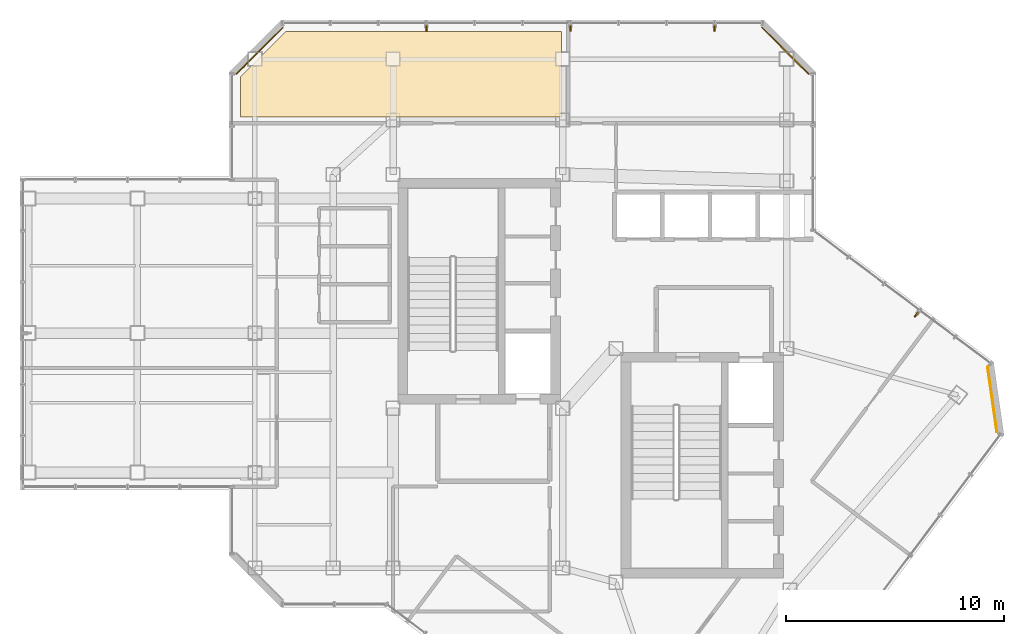
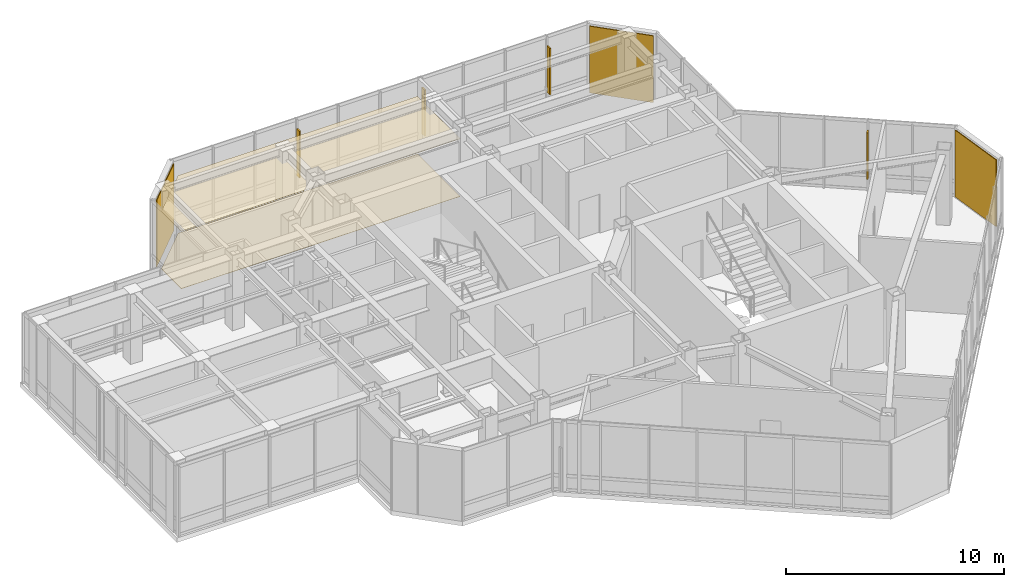
# One storey, part 22 of 22: 5 coverings, 4 shading devices.
"""IFC4 building model written with IfcOpenShell, lengths in metres."""

import ifcopenshell
import ifcopenshell.guid

model = None  # the IFC model being written
_history = None  # IfcOwnerHistory: only IFC2X3 demands one
_inside = {}  # id of a spatial element -> (the spatial element, [elements in it])
_under = {}  # id of a project, library or spatial element -> (it, [spatial elements below it])
_declared = {}  # id of a project -> (the project, [libraries it declares])
_typed = {}  # id of a type object -> (the type object, [elements of that type])
_made_of = {}  # id of a material, layer set ... -> (it, [elements and type objects made of it])


def new_model(schema):
    """Start an empty IFC model of exactly this schema.

    Asked for "IFC4X3", IfcOpenShell would pick the latest addendum, in which some entities
    have other attributes; the version numbers below select the first issue.
    IFC2X3 requires an IfcOwnerHistory on every rooted entity: one is made here for all.
    """
    global model, _history
    if schema == "IFC4X3":
        model = ifcopenshell.file(schema_version=(4, 3, 0, 0))
    else:
        model = ifcopenshell.file(schema=schema)
    _inside.clear()
    _under.clear()
    _declared.clear()
    _typed.clear()
    _made_of.clear()
    _history = None
    if model.schema == "IFC2X3":
        org = make("IfcOrganization", Name="unknown")
        user = make(
            "IfcPersonAndOrganization",
            ThePerson=make("IfcPerson", FamilyName="unknown"),
            TheOrganization=org,
        )
        app = make(
            "IfcApplication",
            ApplicationDeveloper=org,
            Version="unknown",
            ApplicationFullName="unknown",
            ApplicationIdentifier="unknown",
        )
        _history = make(
            "IfcOwnerHistory",
            OwningUser=user,
            OwningApplication=app,
            ChangeAction="ADDED",
            CreationDate=0,
        )
    return model


def make(cls, **values):
    """One entity of the class cls with the attributes given. An attribute that is None is left unset."""
    return model.create_entity(
        cls, **{name: value for name, value in values.items() if value is not None}
    )


def rooted(cls, **values):
    """An entity with a GlobalId (a new one), such as an element, a storey or a relation."""
    return make(cls, GlobalId=ifcopenshell.guid.new(), OwnerHistory=_history, **values)


def si_unit(unit_type, name, prefix=None):
    """IfcSIUnit, for example si_unit("LENGTHUNIT", "METRE", prefix="MILLI")."""
    return make("IfcSIUnit", UnitType=unit_type, Prefix=prefix, Name=name)


def assignment(units):
    """IfcUnitAssignment: the units of a project."""
    return None if units is None else make("IfcUnitAssignment", Units=units)


def point(xyz):
    """IfcCartesianPoint."""
    return None if xyz is None else make("IfcCartesianPoint", Coordinates=xyz)


def direction(xyz):
    """IfcDirection."""
    return None if xyz is None else make("IfcDirection", DirectionRatios=xyz)


def frame(location, z_axis=None, x_axis=None):
    """IfcAxis2Placement3D, a coordinate frame: its origin and axes. An axis left out is left unset."""
    return make(
        "IfcAxis2Placement3D",
        Location=point(location),
        Axis=direction(z_axis),
        RefDirection=direction(x_axis),
    )


def frame_2d(location, x_axis=None):
    """IfcAxis2Placement2D, a coordinate frame in the plane: its origin and x axis."""
    return make(
        "IfcAxis2Placement2D", Location=point(location), RefDirection=direction(x_axis)
    )


def origin():
    """The frame at (0, 0, 0) with its axes left unset."""
    return frame((0.0, 0.0, 0.0))


def origin_2d():
    """The frame at (0, 0) in the plane with its x axis left unset."""
    return frame_2d((0.0, 0.0))


def place(relative_to, where):
    """IfcLocalPlacement: puts the frame where relative to a parent placement (None: the world)."""
    return make(
        "IfcLocalPlacement", PlacementRelTo=relative_to, RelativePlacement=where
    )


def context(
    kind, dimensions, precision=None, world=None, true_north=None, identifier=None
):
    """IfcGeometricRepresentationContext, for example the 3D "Model" context."""
    return make(
        "IfcGeometricRepresentationContext",
        ContextIdentifier=identifier,
        ContextType=kind,
        CoordinateSpaceDimension=dimensions,
        Precision=precision,
        WorldCoordinateSystem=world,
        TrueNorth=true_north,
    )


def subcontext(parent, identifier, kind, view, scale=None):
    """IfcGeometricRepresentationSubContext, for example "Body" below "Model"."""
    return make(
        "IfcGeometricRepresentationSubContext",
        ContextIdentifier=identifier,
        ContextType=kind,
        ParentContext=parent,
        TargetScale=scale,
        TargetView=view,
    )


def project(units=None, contexts=None):
    """IfcProject with its units and contexts."""
    return rooted(
        "IfcProject",
        Name="project",
        RepresentationContexts=contexts,
        UnitsInContext=assignment(units),
    )


def spatial(cls, under=None, at=None, **own):
    """A site, building, storey or space (cls), placed at a placement, below another one or the project."""
    s = rooted(cls, ObjectPlacement=at, **own)
    if under is not None:
        _under.setdefault(under.id(), (under, []))[1].append(s)
    return s


def polyline(points):
    """IfcPolyline through the points."""
    return make("IfcPolyline", Points=[point(p) for p in points])


def profile(cls, at=None, kind="AREA", **sizes):
    """A parametric profile (cls). Its sizes go by their IFC names, for example OverallWidth=200.0."""
    return make(cls, ProfileType=kind, Position=at, **sizes)


def rectangle(**sizes):
    """IfcRectangleProfileDef."""
    return profile("IfcRectangleProfileDef", **sizes)


def outline(outer, holes=None, kind="AREA"):
    """IfcArbitraryClosedProfileDef: a profile drawn as a closed curve; with holes, ...WithVoids."""
    if holes is None:
        return make("IfcArbitraryClosedProfileDef", ProfileType=kind, OuterCurve=outer)
    return make(
        "IfcArbitraryProfileDefWithVoids",
        ProfileType=kind,
        OuterCurve=outer,
        InnerCurves=holes,
    )


def extrude(swept, where, along, depth):
    """IfcExtrudedAreaSolid: the profile swept, set in the frame where, extruded along a direction by depth."""
    return make(
        "IfcExtrudedAreaSolid",
        SweptArea=swept,
        Position=where,
        ExtrudedDirection=direction(along),
        Depth=depth,
    )


def shape(context_of_items, identifier, shape_type, items):
    """IfcShapeRepresentation: the items that make up one representation, for example the "Body"."""
    return make(
        "IfcShapeRepresentation",
        ContextOfItems=context_of_items,
        RepresentationIdentifier=identifier,
        RepresentationType=shape_type,
        Items=items,
    )


def material(Name=None, Category=None):
    """IfcMaterial."""
    return make("IfcMaterial", Name=Name, Category=Category)


def layer(
    of_material, thickness, ventilated=None, Name=None, Category=None, Priority=None
):
    """IfcMaterialLayer: one layer of a wall or slab, of a material (None: an air gap)."""
    return make(
        "IfcMaterialLayer",
        Material=of_material,
        LayerThickness=thickness,
        IsVentilated=ventilated,
        Name=Name,
        Category=Category,
        Priority=Priority,
    )


def layer_set(layers, Name=None):
    """IfcMaterialLayerSet."""
    return make("IfcMaterialLayerSet", MaterialLayers=layers, LayerSetName=Name)


def made_of(thing, what):
    """Note that an element or type object is made of a material, layer set ...; save() writes the relation."""
    if what is not None:
        _made_of.setdefault(what.id(), (what, []))[1].append(thing)
    return thing


def type_object(cls, material=None, **own):
    """A type object (cls), such as IfcWallType, which elements share."""
    return made_of(rooted(cls, **own), material)


def element(
    cls,
    number,
    at=None,
    inside=None,
    cuts=None,
    type_object=None,
    material=None,
    context=None,
    identifier="Body",
    shape_type=None,
    held_by="IfcProductDefinitionShape",
    body=None,
    shapes=None,
    **own,
):
    """One element of the class cls, such as IfcWall. Its Tag is "e" and its number.

    at: its placement. inside: the storey or other place that contains it. cuts: it is an
    opening in that element (IfcRelVoidsElement). A single representation is given by context,
    identifier, shape_type and body (its items); several are given by shapes. held_by: the class
    of the entity that holds the representations. save() writes the other relations.
    """
    e = rooted(cls, Tag="e%d" % number, ObjectPlacement=at, **own)
    if body is not None:
        shapes = [shape(context, identifier, shape_type, body)]
    if shapes is not None:
        e.Representation = make(held_by, Representations=shapes)
    if inside is not None:
        _inside.setdefault(inside.id(), (inside, []))[1].append(e)
    if cuts is not None:
        rooted(
            "IfcRelVoidsElement", RelatingBuildingElement=cuts, RelatedOpeningElement=e
        )
    if type_object is not None:
        _typed.setdefault(type_object.id(), (type_object, []))[1].append(e)
    return made_of(e, material)


def aggregate(whole, parts):
    """IfcRelAggregates: a whole, such as a stair, and the parts it consists of."""
    return rooted("IfcRelAggregates", RelatingObject=whole, RelatedObjects=parts)


def save(model, path):
    """Write the relations noted so far, then the file.

    IfcRelAggregates (storeys below a building ...), IfcRelContainedInSpatialStructure (elements
    in a storey), IfcRelDefinesByType, IfcRelAssociatesMaterial and IfcRelDeclares: one each for
    every whole, place, type object, material and project.
    """
    for whole, parts in _under.values():
        aggregate(whole, parts)
    for where, things in _inside.values():
        rooted(
            "IfcRelContainedInSpatialStructure",
            RelatedElements=things,
            RelatingStructure=where,
        )
    for kind, things in _typed.values():
        rooted("IfcRelDefinesByType", RelatedObjects=things, RelatingType=kind)
    for what, things in _made_of.values():
        rooted("IfcRelAssociatesMaterial", RelatedObjects=things, RelatingMaterial=what)
    for by, libraries in _declared.values():
        rooted("IfcRelDeclares", RelatingContext=by, RelatedDefinitions=libraries)
    model.write(path)


model = new_model("IFC4")

# Units and contexts
model_context = context("Model", 3, precision=1e-05, world=origin(), true_north=direction((0.0, 1.0)))
body_context = subcontext(model_context, "Body", "Model", "MODEL_VIEW")
ifc_project = project(units=[si_unit("LENGTHUNIT", "METRE"), si_unit("AREAUNIT", "SQUARE_METRE"), si_unit("VOLUMEUNIT", "CUBIC_METRE"), si_unit("PLANEANGLEUNIT", "RADIAN"), si_unit("MASSUNIT", "GRAM", prefix="KILO")], contexts=[model_context])

# Site, building, storey
site_placement = place(None, origin())
site = spatial("IfcSite", under=ifc_project, at=site_placement, CompositionType="ELEMENT")
building_placement = place(site_placement, origin())
building = spatial("IfcBuilding", under=site, at=building_placement, Name="Hatsunagi Terrace Concourse", CompositionType="ELEMENT")
storey_placement = place(building_placement, frame((0.0, 0.0, 261.75)))
storey = spatial("IfcBuildingStorey", under=building, at=storey_placement, Name="L69", CompositionType="ELEMENT", Elevation=261.75)

# Coverings
ifc_material_1 = material(Name="Acoustic mineral board", Category="gypsum")
ifc_layer_1 = layer(ifc_material_1, 0.02001953125)
ifc_layer_set_1 = layer_set([ifc_layer_1], Name="AcousticMineralCeiling_20")
covering_type_1 = type_object("IfcCoveringType", Name="AcousticMineralCeiling_20", PredefinedType="CEILING", material=ifc_layer_set_1)
covering_1_placement = place(storey_placement, frame((0.0, 0.0, 3.219970703125)))
element("IfcCovering", 1, at=covering_1_placement, inside=storey, type_object=covering_type_1, Name="Suspended Ceiling L69-1", PredefinedType="CEILING", context=body_context, shape_type="SweptSolid", body=[
    extrude(outline(polyline([(18.530029296875, 47.780029296875), (18.530029296875, 45.949951171875), (33.300048828125, 45.949951171875), (33.300048828125, 49.8701171875), (20.6201171875, 49.8701171875), (18.530029296875, 47.780029296875)])), origin(), (0.0, 0.0, 1.0), 0.02001953125),
])
ifc_material_2 = material(Name="Hardwood timber", Category="wood")
ifc_layer_2 = layer(ifc_material_2, 0.014892578125)
ifc_layer_set_2 = layer_set([ifc_layer_2], Name="HardwoodTimberFlooring_15")
covering_type_2 = type_object("IfcCoveringType", Name="HardwoodTimberFlooring_15", PredefinedType="FLOORING", material=ifc_layer_set_2)
covering_2_placement = place(storey_placement, origin())
element("IfcCovering", 2, at=covering_2_placement, inside=storey, type_object=covering_type_2, Name="Finished Flooring L69-1", PredefinedType="FLOORING", context=body_context, shape_type="SweptSolid", body=[
    extrude(outline(polyline([(18.530029296875, 47.780029296875), (18.530029296875, 45.949951171875), (33.300048828125, 45.949951171875), (33.300048828125, 49.8701171875), (20.6201171875, 49.8701171875), (18.530029296875, 47.780029296875)])), origin(), (0.0, 0.0, 1.0), 0.014892578125),
])

# Shading devices
ifc_material_3 = material(Name="Extruded Unglazed Terracotta Baguette", Category="masonry")
shading_device_type = type_object("IfcShadingDeviceType", Name="TerracottaFinScreen_260x70", PredefinedType="USERDEFINED", material=ifc_material_3)
for number, where, z_axis, x_axis, name in (
    (3, (27.0830078125, 50.010009765625, 0.849853515625), (0.0, 0.0, 1.0), (1.0, 0.0, 0.0), "Terracotta Baguette Fin Screen SCR-01"),
    (4, (33.7080078125, 50.010009765625, 0.849853515625), (0.0, 0.0, 1.0), (1.0, 0.0, 0.0), "Terracotta Baguette Fin Screen SCR-01"),
    (5, (40.333984375, 50.010009765625, 0.849853515625), (0.0, 0.0, 1.0), (1.0, 0.0, 0.0), "Terracotta Baguette Fin Screen SCR-01"),
    (6, (49.612060546875, 36.85400390625, 0.849853515625), (0.0, 0.0, 1.0), (0.800023013105, -0.599969314634, 0.0), "Terracotta Baguette Fin Screen SCR-01"),
):
    element("IfcShadingDevice", number, at=place(storey_placement, frame(where, z_axis=z_axis, x_axis=x_axis)), inside=storey, type_object=shading_device_type, Name=name, ObjectType="SUNSHADE", PredefinedType="USERDEFINED", context=body_context, shape_type="SweptSolid", body=[
        extrude(rectangle(XDim=0.070068359375, YDim=0.260009765625, at=origin_2d()), origin(), (0.0, 0.0, 1.0), 2.60009765625),
    ])

# Coverings
ifc_material_4 = material(Name="Unglazed Warm Terracotta Rainscreen Tile", Category="masonry")
ifc_layer_3 = layer(ifc_material_4, 0.044921875)
ifc_layer_set_3 = layer_set([ifc_layer_3], Name="TerracottaRainscreenCladding_45")
covering_type_3 = type_object("IfcCoveringType", Name="TerracottaRainscreenCladding_45", PredefinedType="CLADDING", material=ifc_layer_set_3)
for number, where, z_axis, x_axis, name in (
    (7, (19.4140625, 48.986083984375, 0.10009765625), (0.0, 0.0, 1.0), (0.707106781187, 0.707106781187, 0.0), "Terracotta Rainscreen Cladding L69-02"),
    (8, (43.5859375, 48.986083984375, 0.10009765625), (0.0, 0.0, 1.0), (0.707106781187, -0.707106781187, 0.0), "Terracotta Rainscreen Cladding L69-04"),
    (9, (53.10107421875, 32.9580078125, 0.10009765625), (0.0, 0.0, 1.0), (0.141250262458, -0.989973920543, 0.0), "Terracotta Rainscreen Cladding L69-07"),
):
    element("IfcCovering", number, at=place(storey_placement, frame(where, z_axis=z_axis, x_axis=x_axis)), inside=storey, type_object=covering_type_3, Name=name, PredefinedType="CLADDING", context=body_context, shape_type="SweptSolid", body=[
        extrude(rectangle(XDim=3.0380859375, YDim=0.044921875, at=origin_2d()), origin(), (0.0, 0.0, 1.0), 3.739990234375),
    ])

save(model, "model.ifc")
